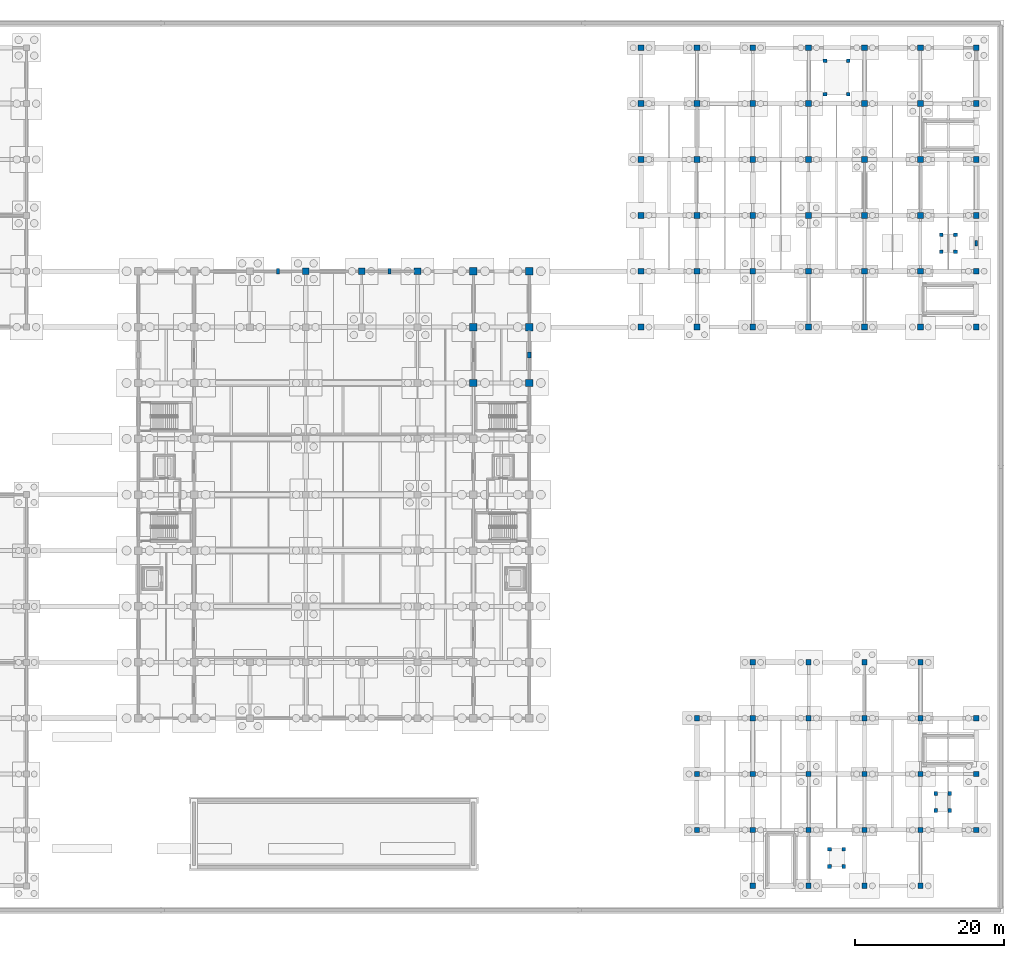
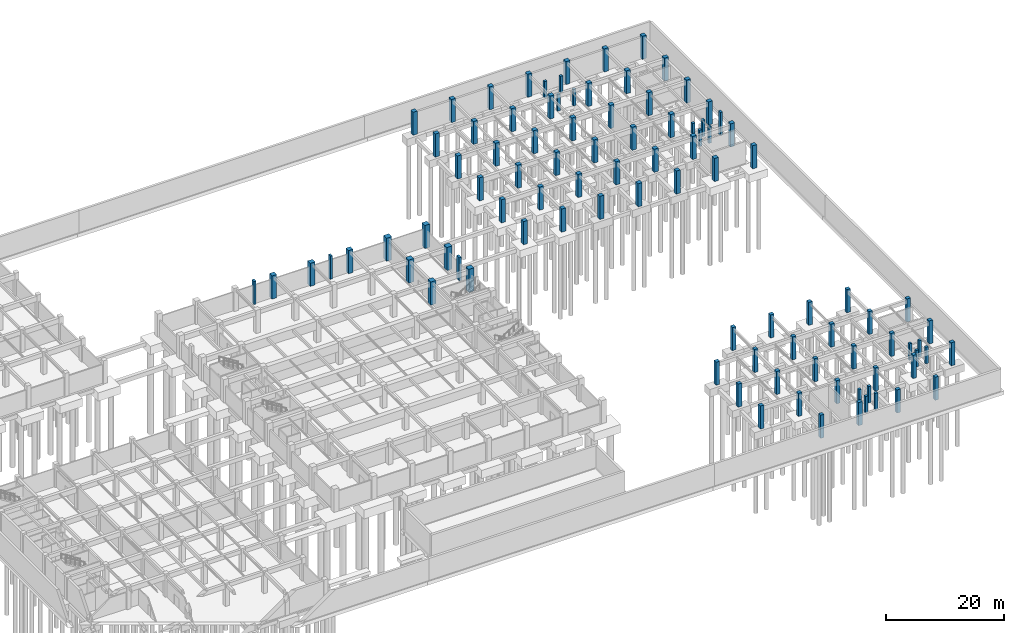
# One storey, part 14 of 38: 97 columns.
"""IFC4 building model written with IfcOpenShell, lengths in metres."""

from ifc_helpers import new_model, si_unit, direction, frame, origin, origin_2d, place, context, subcontext, project, spatial, rectangle, extrude, material, material_profile, profile_set, type_object, element, save


model = new_model("IFC4")

# Units and contexts
model_context = context("Model", 3, precision=1e-05, world=origin(), true_north=direction((0.0, 1.0)))
body_context = subcontext(model_context, "Body", "Model", "MODEL_VIEW")
ifc_project = project(units=[si_unit("LENGTHUNIT", "METRE"), si_unit("AREAUNIT", "SQUARE_METRE"), si_unit("VOLUMEUNIT", "CUBIC_METRE"), si_unit("PLANEANGLEUNIT", "RADIAN"), si_unit("MASSUNIT", "GRAM", prefix="KILO")], contexts=[model_context])

# Site, building, storey
site_placement = place(None, origin())
site = spatial("IfcSite", under=ifc_project, at=site_placement, CompositionType="ELEMENT")
building_placement = place(site_placement, origin())
building = spatial("IfcBuilding", under=site, at=building_placement, Name="Qasida Concert Hall", CompositionType="ELEMENT")
storey_placement = place(building_placement, frame((0.0, 0.0, -4.800048828125)))
storey = spatial("IfcBuildingStorey", under=building, at=storey_placement, Name="B1", CompositionType="ELEMENT", Elevation=-4.800048828125)

# Columns
ifc_material = material(Name="Concrete C50/60", Category="concrete")
ifc_material_profile_1 = material_profile(ifc_material, rectangle(XDim=1.0, YDim=1.0, at=origin_2d()), Name="RC 1000x1000")
ifc_profile_set_1 = profile_set([ifc_material_profile_1], Name="Concrete C50/60")
column_type_1 = type_object("IfcColumnType", Name="COL-C-101", PredefinedType="COLUMN", material=ifc_profile_set_1)
for number, where, z_axis, x_axis, name in (
    (1, (97.5, 67.5, 0.0), (0.0, 0.0, 1.0), (1.0, 0.0, 0.0), "B1 column C-101 (V1)"),
    (2, (97.5, 75.0, 0.0), (0.0, 0.0, 1.0), (1.0, 0.0, 0.0), "B1 column C-101 (V1)"),
    (3, (97.5, 82.5, 0.0), (0.0, 0.0, 1.0), (1.0, 0.0, 0.0), "B1 column C-101 (V1)"),
    (4, (105.0, 67.5, 0.0), (0.0, 0.0, 1.0), (1.0, 0.0, 0.0), "B1 column C-101 (V1)"),
    (5, (105.0, 75.0, 0.0), (0.0, 0.0, 1.0), (1.0, 0.0, 0.0), "B1 column C-101 (V1)"),
    (6, (105.0, 82.5, 0.0), (0.0, 0.0, 1.0), (1.0, 0.0, 0.0), "B1 column C-101 (V1)"),
):
    element("IfcColumn", number, at=place(storey_placement, frame(where, z_axis=z_axis, x_axis=x_axis)), inside=storey, type_object=column_type_1, Name=name, PredefinedType="COLUMN", context=body_context, shape_type="SweptSolid", body=[
        extrude(rectangle(XDim=1.0, YDim=1.0, at=origin_2d()), origin(), (0.0, 0.0, 1.0), 4.800048828125),
    ])
ifc_material_profile_2 = material_profile(ifc_material, rectangle(XDim=0.89990234375, YDim=0.89990234375, at=origin_2d()), Name="RC 900x900")
ifc_profile_set_2 = profile_set([ifc_material_profile_2], Name="Concrete C50/60")
column_type_2 = type_object("IfcColumnType", Name="COL-C-102", PredefinedType="COLUMN", material=ifc_profile_set_2)
for number, where, z_axis, x_axis, name in (
    (7, (75.0, 82.5, 0.0), (0.0, 0.0, 1.0), (1.0, 0.0, 0.0), "B1 column C-102 (V1)"),
    (8, (82.5, 82.5, 0.0), (0.0, 0.0, 1.0), (1.0, 0.0, 0.0), "B1 column C-102 (V1)"),
    (9, (90.0, 82.5, 0.0), (0.0, 0.0, 1.0), (1.0, 0.0, 0.0), "B1 column C-102 (V1)"),
):
    element("IfcColumn", number, at=place(storey_placement, frame(where, z_axis=z_axis, x_axis=x_axis)), inside=storey, type_object=column_type_2, Name=name, PredefinedType="COLUMN", context=body_context, shape_type="SweptSolid", body=[
        extrude(rectangle(XDim=0.89990234375, YDim=0.89990234375, at=origin_2d()), origin(), (0.0, 0.0, 1.0), 4.800048828125),
    ])
ifc_material_profile_3 = material_profile(ifc_material, rectangle(XDim=0.800048828125, YDim=0.800048828125, at=origin_2d()), Name="RC 800x800")
ifc_profile_set_3 = profile_set([ifc_material_profile_3], Name="Concrete C50/60")
column_type_3 = type_object("IfcColumnType", Name="COL-C-103", PredefinedType="COLUMN", material=ifc_profile_set_3)
for number, where, z_axis, x_axis, name in (
    (10, (120.0, 75.0, 0.0), (0.0, 0.0, 1.0), (1.0, 0.0, 0.0), "B1 column C-103 (V4)"),
    (11, (120.0, 82.5, 0.0), (0.0, 0.0, 1.0), (1.0, 0.0, 0.0), "B1 column C-103 (V4)"),
    (12, (120.0, 90.0, 0.0), (0.0, 0.0, 1.0), (1.0, 0.0, 0.0), "B1 column C-103 (V4)"),
    (13, (120.0, 97.5, 0.0), (0.0, 0.0, 1.0), (1.0, 0.0, 0.0), "B1 column C-103 (V4)"),
    (14, (120.0, 105.0, 0.0), (0.0, 0.0, 1.0), (1.0, 0.0, 0.0), "B1 column C-103 (V4)"),
    (15, (120.0, 112.5, 0.0), (0.0, 0.0, 1.0), (1.0, 0.0, 0.0), "B1 column C-103 (V4)"),
    (16, (127.5, 75.0, 0.0), (0.0, 0.0, 1.0), (1.0, 0.0, 0.0), "B1 column C-103 (V4)"),
    (17, (127.5, 82.5, 0.0), (0.0, 0.0, 1.0), (1.0, 0.0, 0.0), "B1 column C-103 (V4)"),
    (18, (127.5, 90.0, 0.0), (0.0, 0.0, 1.0), (1.0, 0.0, 0.0), "B1 column C-103 (V4)"),
    (19, (127.5, 97.5, 0.0), (0.0, 0.0, 1.0), (1.0, 0.0, 0.0), "B1 column C-103 (V4)"),
    (20, (127.5, 105.0, 0.0), (0.0, 0.0, 1.0), (1.0, 0.0, 0.0), "B1 column C-103 (V4)"),
    (21, (127.5, 112.5, 0.0), (0.0, 0.0, 1.0), (1.0, 0.0, 0.0), "B1 column C-103 (V4)"),
    (22, (135.0, 75.0, 0.0), (0.0, 0.0, 1.0), (1.0, 0.0, 0.0), "B1 column C-103 (V4)"),
    (23, (135.0, 82.5, 0.0), (0.0, 0.0, 1.0), (1.0, 0.0, 0.0), "B1 column C-103 (V4)"),
    (24, (135.0, 90.0, 0.0), (0.0, 0.0, 1.0), (1.0, 0.0, 0.0), "B1 column C-103 (V4)"),
    (25, (135.0, 97.5, 0.0), (0.0, 0.0, 1.0), (1.0, 0.0, 0.0), "B1 column C-103 (V4)"),
    (26, (135.0, 105.0, 0.0), (0.0, 0.0, 1.0), (1.0, 0.0, 0.0), "B1 column C-103 (V4)"),
    (27, (135.0, 112.5, 0.0), (0.0, 0.0, 1.0), (1.0, 0.0, 0.0), "B1 column C-103 (V4)"),
    (28, (142.5, 75.0, 0.0), (0.0, 0.0, 1.0), (1.0, 0.0, 0.0), "B1 column C-103 (V4)"),
    (29, (142.5, 82.5, 0.0), (0.0, 0.0, 1.0), (1.0, 0.0, 0.0), "B1 column C-103 (V4)"),
    (30, (142.5, 90.0, 0.0), (0.0, 0.0, 1.0), (1.0, 0.0, 0.0), "B1 column C-103 (V4)"),
    (31, (142.5, 97.5, 0.0), (0.0, 0.0, 1.0), (1.0, 0.0, 0.0), "B1 column C-103 (V4)"),
    (32, (142.5, 105.0, 0.0), (0.0, 0.0, 1.0), (1.0, 0.0, 0.0), "B1 column C-103 (V4)"),
    (33, (142.5, 112.5, 0.0), (0.0, 0.0, 1.0), (1.0, 0.0, 0.0), "B1 column C-103 (V4)"),
    (34, (150.0, 75.0, 0.0), (0.0, 0.0, 1.0), (1.0, 0.0, 0.0), "B1 column C-103 (V4)"),
    (35, (150.0, 82.5, 0.0), (0.0, 0.0, 1.0), (1.0, 0.0, 0.0), "B1 column C-103 (V4)"),
    (36, (150.0, 90.0, 0.0), (0.0, 0.0, 1.0), (1.0, 0.0, 0.0), "B1 column C-103 (V4)"),
    (37, (150.0, 97.5, 0.0), (0.0, 0.0, 1.0), (1.0, 0.0, 0.0), "B1 column C-103 (V4)"),
    (38, (150.0, 105.0, 0.0), (0.0, 0.0, 1.0), (1.0, 0.0, 0.0), "B1 column C-103 (V4)"),
    (39, (150.0, 112.5, 0.0), (0.0, 0.0, 1.0), (1.0, 0.0, 0.0), "B1 column C-103 (V4)"),
    (40, (157.5, 75.0, 0.0), (0.0, 0.0, 1.0), (1.0, 0.0, 0.0), "B1 column C-103 (V4)"),
    (41, (157.5, 82.5, 0.0), (0.0, 0.0, 1.0), (1.0, 0.0, 0.0), "B1 column C-103 (V4)"),
    (42, (157.5, 90.0, 0.0), (0.0, 0.0, 1.0), (1.0, 0.0, 0.0), "B1 column C-103 (V4)"),
    (43, (157.5, 97.5, 0.0), (0.0, 0.0, 1.0), (1.0, 0.0, 0.0), "B1 column C-103 (V4)"),
    (44, (157.5, 105.0, 0.0), (0.0, 0.0, 1.0), (1.0, 0.0, 0.0), "B1 column C-103 (V4)"),
    (45, (157.5, 112.5, 0.0), (0.0, 0.0, 1.0), (1.0, 0.0, 0.0), "B1 column C-103 (V4)"),
    (46, (165.0, 75.0, 0.0), (0.0, 0.0, 1.0), (1.0, 0.0, 0.0), "B1 column C-103 (V4)"),
    (47, (165.0, 82.5, 0.0), (0.0, 0.0, 1.0), (1.0, 0.0, 0.0), "B1 column C-103 (V4)"),
    (48, (165.0, 90.0, 0.0), (0.0, 0.0, 1.0), (1.0, 0.0, 0.0), "B1 column C-103 (V4)"),
    (49, (165.0, 97.5, 0.0), (0.0, 0.0, 1.0), (1.0, 0.0, 0.0), "B1 column C-103 (V4)"),
    (50, (165.0, 105.0, 0.0), (0.0, 0.0, 1.0), (1.0, 0.0, 0.0), "B1 column C-103 (V4)"),
    (51, (165.0, 112.5, 0.0), (0.0, 0.0, 1.0), (1.0, 0.0, 0.0), "B1 column C-103 (V4)"),
):
    element("IfcColumn", number, at=place(storey_placement, frame(where, z_axis=z_axis, x_axis=x_axis)), inside=storey, type_object=column_type_3, Name=name, PredefinedType="COLUMN", context=body_context, shape_type="SweptSolid", body=[
        extrude(rectangle(XDim=0.800048828125, YDim=0.800048828125, at=origin_2d()), origin(), (0.0, 0.0, 1.0), 4.800048828125),
    ])
ifc_material_profile_4 = material_profile(ifc_material, rectangle(XDim=0.699951171875, YDim=0.699951171875, at=origin_2d()), Name="RC 700x700")
ifc_profile_set_4 = profile_set([ifc_material_profile_4], Name="Concrete C50/60")
column_type_4 = type_object("IfcColumnType", Name="COL-C-105", PredefinedType="COLUMN", material=ifc_profile_set_4)
for number, where, z_axis, x_axis, name in (
    (52, (127.5, 7.5, 0.0), (0.0, 0.0, 1.0), (1.0, 0.0, 0.0), "B1 column C-105 (V2)"),
    (53, (127.5, 15.0, 0.0), (0.0, 0.0, 1.0), (1.0, 0.0, 0.0), "B1 column C-105 (V2)"),
    (54, (127.5, 22.5, 0.0), (0.0, 0.0, 1.0), (1.0, 0.0, 0.0), "B1 column C-105 (V2)"),
    (55, (135.0, 0.0, 0.0), (0.0, 0.0, 1.0), (1.0, 0.0, 0.0), "B1 column C-105 (V2)"),
    (56, (135.0, 7.5, 0.0), (0.0, 0.0, 1.0), (1.0, 0.0, 0.0), "B1 column C-105 (V2)"),
    (57, (135.0, 15.0, 0.0), (0.0, 0.0, 1.0), (1.0, 0.0, 0.0), "B1 column C-105 (V2)"),
    (58, (135.0, 22.5, 0.0), (0.0, 0.0, 1.0), (1.0, 0.0, 0.0), "B1 column C-105 (V2)"),
    (59, (135.0, 30.0, 0.0), (0.0, 0.0, 1.0), (1.0, 0.0, 0.0), "B1 column C-105 (V2)"),
    (60, (142.5, 0.0, 0.0), (0.0, 0.0, 1.0), (1.0, 0.0, 0.0), "B1 column C-105 (V2)"),
    (61, (142.5, 7.5, 0.0), (0.0, 0.0, 1.0), (1.0, 0.0, 0.0), "B1 column C-105 (V2)"),
    (62, (142.5, 15.0, 0.0), (0.0, 0.0, 1.0), (1.0, 0.0, 0.0), "B1 column C-105 (V2)"),
    (63, (142.5, 22.5, 0.0), (0.0, 0.0, 1.0), (1.0, 0.0, 0.0), "B1 column C-105 (V2)"),
    (64, (142.5, 30.0, 0.0), (0.0, 0.0, 1.0), (1.0, 0.0, 0.0), "B1 column C-105 (V2)"),
    (65, (150.0, 0.0, 0.0), (0.0, 0.0, 1.0), (1.0, 0.0, 0.0), "B1 column C-105 (V2)"),
    (66, (150.0, 7.5, 0.0), (0.0, 0.0, 1.0), (1.0, 0.0, 0.0), "B1 column C-105 (V2)"),
    (67, (150.0, 15.0, 0.0), (0.0, 0.0, 1.0), (1.0, 0.0, 0.0), "B1 column C-105 (V2)"),
    (68, (150.0, 22.5, 0.0), (0.0, 0.0, 1.0), (1.0, 0.0, 0.0), "B1 column C-105 (V2)"),
    (69, (150.0, 30.0, 0.0), (0.0, 0.0, 1.0), (1.0, 0.0, 0.0), "B1 column C-105 (V2)"),
    (70, (157.5, 0.0, 0.0), (0.0, 0.0, 1.0), (1.0, 0.0, 0.0), "B1 column C-105 (V2)"),
    (71, (157.5, 7.5, 0.0), (0.0, 0.0, 1.0), (1.0, 0.0, 0.0), "B1 column C-105 (V2)"),
    (72, (157.5, 15.0, 0.0), (0.0, 0.0, 1.0), (1.0, 0.0, 0.0), "B1 column C-105 (V2)"),
    (73, (157.5, 22.5, 0.0), (0.0, 0.0, 1.0), (1.0, 0.0, 0.0), "B1 column C-105 (V2)"),
    (74, (157.5, 30.0, 0.0), (0.0, 0.0, 1.0), (1.0, 0.0, 0.0), "B1 column C-105 (V2)"),
    (75, (165.0, 7.5, 0.0), (0.0, 0.0, 1.0), (1.0, 0.0, 0.0), "B1 column C-105 (V2)"),
    (76, (165.0, 15.0, 0.0), (0.0, 0.0, 1.0), (1.0, 0.0, 0.0), "B1 column C-105 (V2)"),
    (77, (165.0, 22.5, 0.0), (0.0, 0.0, 1.0), (1.0, 0.0, 0.0), "B1 column C-105 (V2)"),
):
    element("IfcColumn", number, at=place(storey_placement, frame(where, z_axis=z_axis, x_axis=x_axis)), inside=storey, type_object=column_type_4, Name=name, PredefinedType="COLUMN", context=body_context, shape_type="SweptSolid", body=[
        extrude(rectangle(XDim=0.699951171875, YDim=0.699951171875, at=origin_2d()), origin(), (0.0, 0.0, 1.0), 4.800048828125),
    ])
ifc_material_profile_5 = material_profile(ifc_material, rectangle(XDim=0.5, YDim=0.5, at=origin_2d()), Name="RC 500x500")
ifc_profile_set_5 = profile_set([ifc_material_profile_5], Name="Concrete C50/60")
column_type_5 = type_object("IfcColumnType", Name="COL-C-109", PredefinedType="COLUMN", material=ifc_profile_set_5)
for number, where, z_axis, x_axis, name in (
    (78, (160.300048828125, 85.10009765625, 0.0), (0.0, 0.0, 1.0), (1.0, 0.0, 0.0), "Lift pit pier LF-09-1"),
    (79, (162.199951171875, 85.10009765625, 0.0), (0.0, 0.0, 1.0), (1.0, 0.0, 0.0), "Lift pit pier LF-09-2"),
    (80, (162.199951171875, 87.39990234375, 0.0), (0.0, 0.0, 1.0), (1.0, 0.0, 0.0), "Lift pit pier LF-09-3"),
    (81, (160.300048828125, 87.39990234375, 0.0), (0.0, 0.0, 1.0), (1.0, 0.0, 0.0), "Lift pit pier LF-09-4"),
    (82, (144.699951171875, 106.25, 0.0), (0.0, 0.0, 1.0), (1.0, 0.0, 0.0), "Lift pit pier LF-10-1"),
    (83, (147.800048828125, 106.25, 0.0), (0.0, 0.0, 1.0), (1.0, 0.0, 0.0), "Lift pit pier LF-10-2"),
    (84, (147.800048828125, 110.75, 0.0), (0.0, 0.0, 1.0), (1.0, 0.0, 0.0), "Lift pit pier LF-10-3"),
    (85, (144.699951171875, 110.75, 0.0), (0.0, 0.0, 1.0), (1.0, 0.0, 0.0), "Lift pit pier LF-10-4"),
    (86, (145.300048828125, 2.60009765625, 0.0), (0.0, 0.0, 1.0), (1.0, 0.0, 0.0), "Lift pit pier LF-11-1"),
    (87, (147.199951171875, 2.60009765625, 0.0), (0.0, 0.0, 1.0), (1.0, 0.0, 0.0), "Lift pit pier LF-11-2"),
    (88, (147.199951171875, 4.89990234375, 0.0), (0.0, 0.0, 1.0), (1.0, 0.0, 0.0), "Lift pit pier LF-11-3"),
    (89, (145.300048828125, 4.89990234375, 0.0), (0.0, 0.0, 1.0), (1.0, 0.0, 0.0), "Lift pit pier LF-11-4"),
    (90, (159.550048828125, 10.10009765625, 0.0), (0.0, 0.0, 1.0), (1.0, 0.0, 0.0), "Lift pit pier LF-12-1"),
    (91, (161.449951171875, 10.10009765625, 0.0), (0.0, 0.0, 1.0), (1.0, 0.0, 0.0), "Lift pit pier LF-12-2"),
    (92, (161.449951171875, 12.39990234375, 0.0), (0.0, 0.0, 1.0), (1.0, 0.0, 0.0), "Lift pit pier LF-12-3"),
    (93, (159.550048828125, 12.39990234375, 0.0), (0.0, 0.0, 1.0), (1.0, 0.0, 0.0), "Lift pit pier LF-12-4"),
):
    element("IfcColumn", number, at=place(storey_placement, frame(where, z_axis=z_axis, x_axis=x_axis)), inside=storey, type_object=column_type_5, Name=name, PredefinedType="COLUMN", context=body_context, shape_type="SweptSolid", body=[
        extrude(rectangle(XDim=0.5, YDim=0.5, at=origin_2d()), origin(), (0.0, 0.0, 1.0), 3.400146484375),
    ])
ifc_material_profile_6 = material_profile(ifc_material, rectangle(XDim=0.449951171875, YDim=0.85009765625, at=origin_2d()), Name="RC 450x850")
ifc_profile_set_6 = profile_set([ifc_material_profile_6], Name="Concrete C50/60")
column_type_6 = type_object("IfcColumnType", Name="COL-PL-201", PredefinedType="PILASTER", material=ifc_profile_set_6)
column_placement = place(storey_placement, frame((105.0, 71.25, 0.0), z_axis=(0.0, 0.0, 1.0), x_axis=(1.0, 0.0, 0.0)))
element("IfcColumn", 94, at=column_placement, inside=storey, type_object=column_type_6, Name="B1 Art Deco pilaster PL-201", PredefinedType="PILASTER", context=body_context, shape_type="SweptSolid", body=[
    extrude(rectangle(XDim=0.449951171875, YDim=0.85009765625, at=origin_2d()), origin(), (0.0, 0.0, 1.0), 4.800048828125),
])
ifc_material_profile_7 = material_profile(ifc_material, rectangle(XDim=0.39990234375, YDim=0.699951171875, at=origin_2d()), Name="RC 400x700")
ifc_profile_set_7 = profile_set([ifc_material_profile_7], Name="Concrete C50/60")
column_type_7 = type_object("IfcColumnType", Name="COL-PL-202", PredefinedType="PILASTER", material=ifc_profile_set_7)
for number, where, z_axis, x_axis, name in (
    (95, (71.25, 82.5, 0.0), (0.0, 0.0, 1.0), (1.0, 0.0, 0.0), "B1 Art Deco pilaster PL-202"),
    (96, (86.25, 82.5, 0.0), (0.0, 0.0, 1.0), (1.0, 0.0, 0.0), "B1 Art Deco pilaster PL-202"),
    (97, (165.0, 86.25, 0.0), (0.0, 0.0, 1.0), (1.0, 0.0, 0.0), "B1 Art Deco pilaster PL-202"),
):
    element("IfcColumn", number, at=place(storey_placement, frame(where, z_axis=z_axis, x_axis=x_axis)), inside=storey, type_object=column_type_7, Name=name, PredefinedType="PILASTER", context=body_context, shape_type="SweptSolid", body=[
        extrude(rectangle(XDim=0.39990234375, YDim=0.699951171875, at=origin_2d()), origin(), (0.0, 0.0, 1.0), 4.800048828125),
    ])

save(model, "model.ifc")
